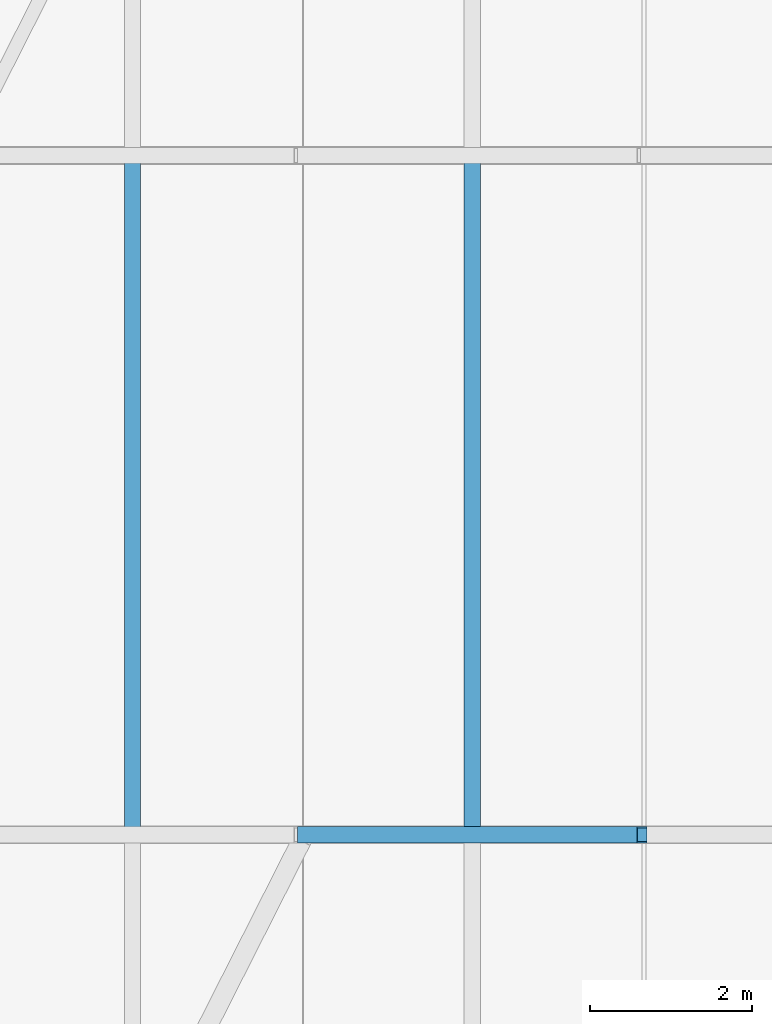
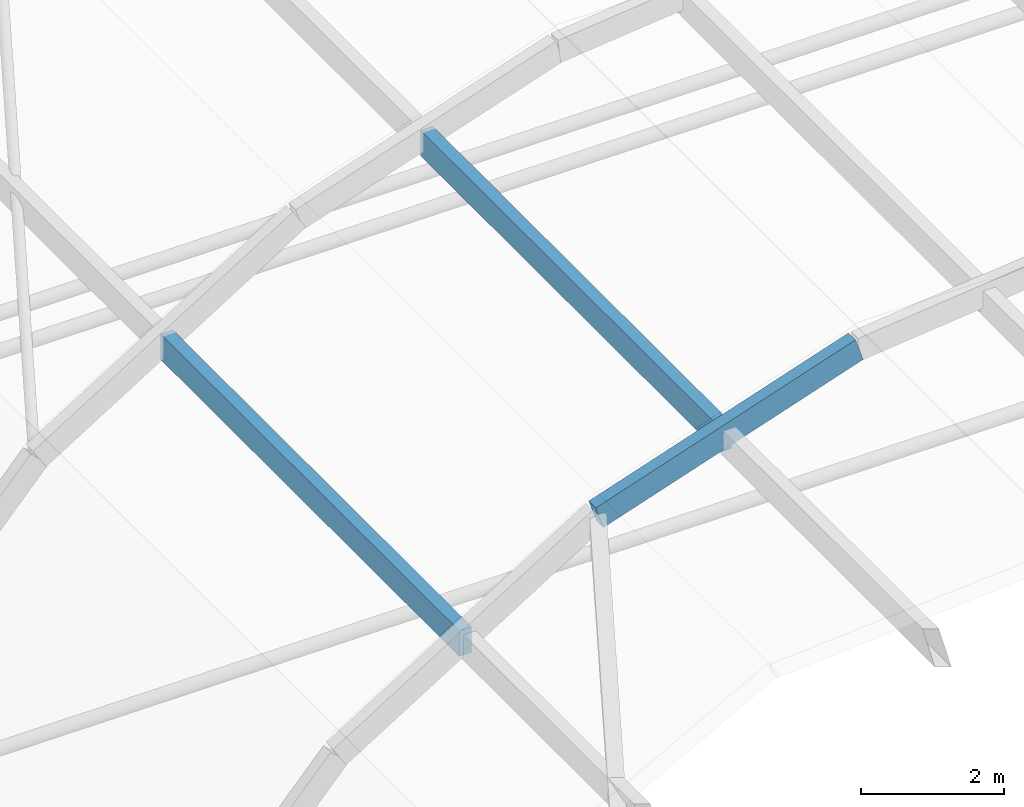
# One storey, part 28 of 114: 2 members, 1 beam.
"""IFC4 building model written with IfcOpenShell, lengths in metres."""

from ifc_helpers import new_model, si_unit, direction, frame, origin, origin_2d, place, context, subcontext, project, spatial, rectangle, hollow_rectangle, extrude, material, material_profile, profile_set, type_object, element, save


model = new_model("IFC4")

# Units and contexts
model_context = context("Model", 3, precision=1e-05, world=origin(), true_north=direction((0.0, 1.0)))
body_context = subcontext(model_context, "Body", "Model", "MODEL_VIEW")
ifc_project = project(units=[si_unit("LENGTHUNIT", "METRE"), si_unit("AREAUNIT", "SQUARE_METRE"), si_unit("VOLUMEUNIT", "CUBIC_METRE"), si_unit("PLANEANGLEUNIT", "RADIAN"), si_unit("MASSUNIT", "GRAM", prefix="KILO")], contexts=[model_context])

# Site, building, storey
site_placement = place(None, origin())
site = spatial("IfcSite", under=ifc_project, at=site_placement, CompositionType="ELEMENT")
building_placement = place(site_placement, origin())
building = spatial("IfcBuilding", under=site, at=building_placement, Name="Xazarin Passage Department Store", CompositionType="ELEMENT")
storey_placement = place(building_placement, frame((0.0, 0.0, 14.39990234375)))
storey = spatial("IfcBuildingStorey", under=building, at=storey_placement, Name="L03", CompositionType="ELEMENT", Elevation=14.39990234375)

# Beam
ifc_material_1 = material(Name="Steel S355", Category="steel")
ifc_material_profile_1 = material_profile(ifc_material_1, hollow_rectangle(XDim=0.199951171875, YDim=0.39990234375, WallThickness=0.01611328125, at=origin_2d()), Name="RHS 400x200x16")
ifc_profile_set_1 = profile_set([ifc_material_profile_1], Name="Steel S355")
beam_type = type_object("IfcBeamType", Name="STR-BM-AR400", PredefinedType="BEAM", material=ifc_profile_set_1)
beam_placement = place(storey_placement, frame((76.39990234375, 33.60009765625, 8.95068359375), z_axis=(0.948462545979, 0.0, 0.31688925333), x_axis=(0.0, 1.0, 0.0)))
element("IfcBeam", 1, at=beam_placement, inside=storey, type_object=beam_type, Name="V2S Primary Arch Rib 5.3", PredefinedType="BEAM", context=body_context, shape_type="SweptSolid", body=[
    extrude(hollow_rectangle(XDim=0.199951171875, YDim=0.39990234375, WallThickness=0.01611328125, at=origin_2d()), origin(), (0.0, 0.0, 1.0), 4.428466796875),
])

# Members
ifc_material_2 = material(Name="Glulam GL28h", Category="wood")
ifc_material_profile_2 = material_profile(ifc_material_2, rectangle(XDim=0.199951171875, YDim=0.43994140625, at=origin_2d()), Name="GL28h 200x440")
ifc_profile_set_2 = profile_set([ifc_material_profile_2], Name="Glulam GL28h")
member_type = type_object("IfcMemberType", Name="STR-MEM-GL440", PredefinedType="PURLIN", material=ifc_profile_set_2)
for number, where, z_axis, x_axis, name in (
    (2, (74.300048828125, 33.6201171875, 7.501220703125), (0.0, 1.0, 0.0), (-1.0, 0.0, 0.0), "V2S Glulam Gridshell Purlin 5.2"),
    (3, (78.5, 33.6201171875, 9.512451171875), (0.0, 1.0, 0.0), (-1.0, 0.0, 0.0), "V2S Glulam Gridshell Purlin 5.3"),
):
    element("IfcMember", number, at=place(storey_placement, frame(where, z_axis=z_axis, x_axis=x_axis)), inside=storey, type_object=member_type, Name=name, PredefinedType="PURLIN", context=body_context, shape_type="SweptSolid", body=[
        extrude(rectangle(XDim=0.199951171875, YDim=0.43994140625, at=origin_2d()), origin(), (0.0, 0.0, 1.0), 8.35986328125),
    ])

save(model, "model.ifc")
